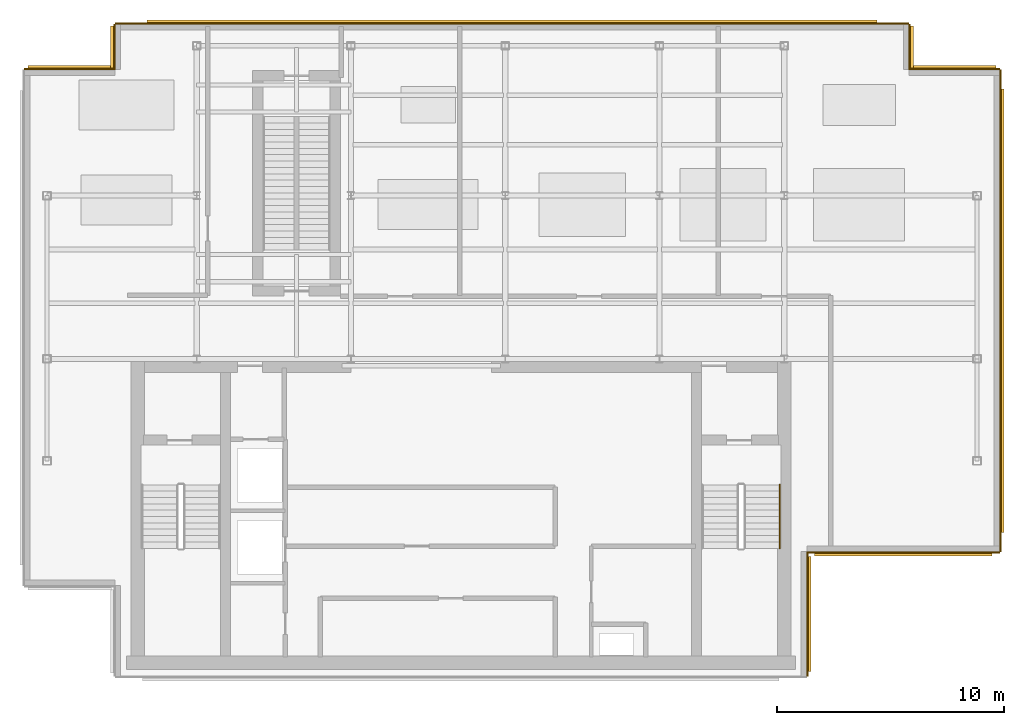
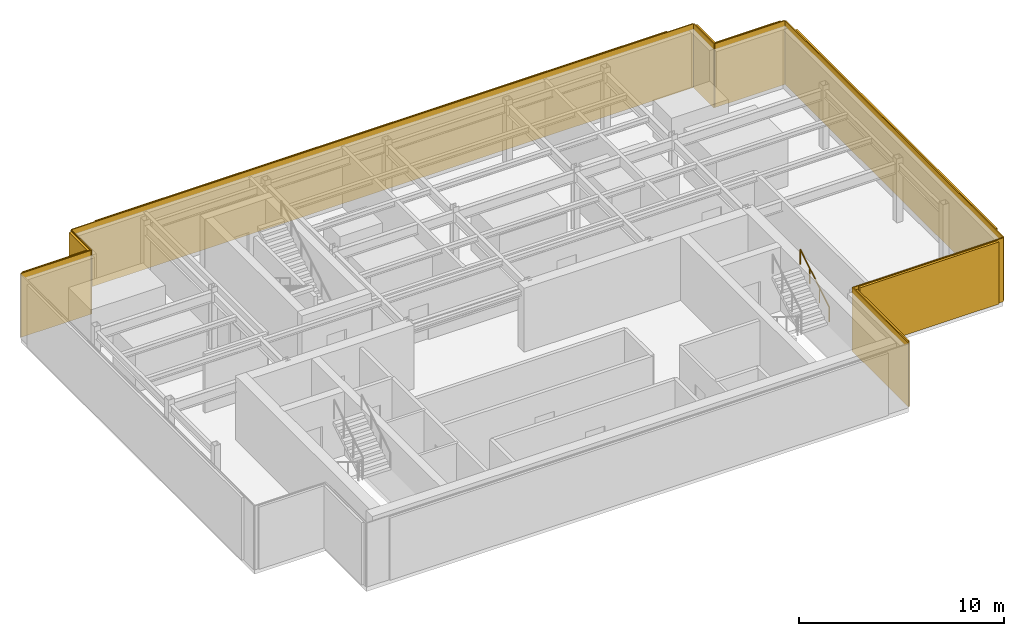
# One storey, part 6 of 7: 8 coverings, 8 shading devices, 1 railing.
"""IFC4 building model written with IfcOpenShell, lengths in metres."""

from ifc_helpers import new_model, si_unit, derived_unit, direction, frame, origin, origin_2d, place, context, subcontext, project, spatial, rectangle, circle, extrude, source, transform, mapped, material, layer, layer_set, type_object, element, save


model = new_model("IFC4")

# Units and contexts
model_context = context("Model", 3, precision=1e-05, world=origin(), true_north=direction((0.0, 1.0)))
body_context = subcontext(model_context, "Body", "Model", "MODEL_VIEW")
ifc_project = project(units=[si_unit("LENGTHUNIT", "METRE"), si_unit("AREAUNIT", "SQUARE_METRE"), si_unit("VOLUMEUNIT", "CUBIC_METRE"), si_unit("PLANEANGLEUNIT", "RADIAN"), si_unit("MASSUNIT", "GRAM", prefix="KILO"), derived_unit("THERMALTRANSMITTANCEUNIT", [(si_unit("POWERUNIT", "WATT"), 1), (si_unit("LENGTHUNIT", "METRE"), -2), (si_unit("THERMODYNAMICTEMPERATUREUNIT", "KELVIN"), -1)])], contexts=[model_context])

# Site, building, storey
site_placement = place(None, origin())
site = spatial("IfcSite", under=ifc_project, at=site_placement, CompositionType="ELEMENT")
building_placement = place(site_placement, origin())
building = spatial("IfcBuilding", under=site, at=building_placement, Name="Skarnbrae Concourse Arena and Tower", CompositionType="ELEMENT")
storey_placement = place(building_placement, frame((0.0, 0.0, 303.64990234375)))
storey = spatial("IfcBuildingStorey", under=building, at=storey_placement, Name="L79", CompositionType="ELEMENT", Elevation=303.64990234375)

# Railing
ifc_material_1 = material(Name="Steel CSA G40.21 350W", Category="steel")
railing_type = type_object("IfcRailingType", Name="RAIL-HANDRAIL-900", PredefinedType="HANDRAIL", material=ifc_material_1)
railing_placement = place(storey_placement, frame((33.300048828125, 5.64990234375, 2.07275390625)))
element("IfcRailing", 1, at=railing_placement, inside=storey, type_object=railing_type, Name="L79 ST-2 stair handrail 2", PredefinedType="HANDRAIL", context=body_context, shape_type="SweptSolid", body=[
    extrude(circle(Radius=0.02392578125, at=origin_2d()), frame((0.0, 0.0, 0.8759765625), z_axis=(0.0, 0.851089632645, 0.525020415988), x_axis=(-1.0, 0.0, 0.0)), (0.0, 0.0, 1.0), 3.2900390625),
    extrude(circle(Radius=0.02099609375, at=origin_2d()), origin(), (0.0, 0.0, 1.0), 0.851806640625),
    extrude(circle(Radius=0.02099609375, at=origin_2d()), frame((0.0, 0.933349609375, 0.57568359375)), (0.0, 0.0, 1.0), 0.851806640625),
    extrude(circle(Radius=0.02099609375, at=origin_2d()), frame((0.0, 1.86669921875, 1.151611328125)), (0.0, 0.0, 1.0), 0.851806640625),
    extrude(circle(Radius=0.02099609375, at=origin_2d()), frame((0.0, 2.800048828125, 1.727294921875)), (0.0, 0.0, 1.0), 0.851806640625),
])

# Covering
ifc_material_2 = material(Name="Bronze anodised aluminium 6063-T6", Category="aluminium")
ifc_layer = layer(ifc_material_2, 0.06005859375)
ifc_layer_set = layer_set([ifc_layer], Name="Bronze anodised aluminium 6063-T6")
covering_type = type_object("IfcCoveringType", Name="COV-CLAD-BRONZE-60", PredefinedType="CLADDING", material=ifc_layer_set)
shared_shape_1 = source(origin(), body_context, "Body", "SweptSolid", [
    extrude(rectangle(XDim=5.5, YDim=0.06005859375, at=origin_2d()), origin(), (0.0, 0.0, 1.0), 3.800048828125),
])
covering_1_placement = place(storey_placement, frame((34.530029296875, 2.75, 0.0), z_axis=(0.0, 0.0, 1.0), x_axis=(0.0, 1.0, 0.0)))
element("IfcCovering", 2, at=covering_1_placement, inside=storey, type_object=covering_type, Name="L79 Bronze crown rainscreen cladding 02", PredefinedType="CLADDING", context=body_context, shape_type="MappedRepresentation", body=[
    mapped(shared_shape_1, transform((0.0, 0.0, 0.0))),
])

# Shading device
shading_device_type = type_object("IfcShadingDeviceType", Name="SHD-BRONZE-LOUVRE-150", PredefinedType="USERDEFINED", material=ifc_material_2)
shared_shape_2 = source(origin(), body_context, "Body", "SweptSolid", [
    extrude(rectangle(XDim=5.06005859375, YDim=0.139892578125, at=origin_2d()), origin(), (0.0, 0.0, 1.0), 3.699951171875),
])
shading_device_1_placement = place(storey_placement, frame((34.6201171875, 2.75, 0.05029296875), z_axis=(0.0, 0.0, 1.0), x_axis=(0.0, 1.0, 0.0)))
element("IfcShadingDevice", 3, at=shading_device_1_placement, inside=storey, type_object=shading_device_type, Name="L79 Crown bronze architectural louvre screen 02", ObjectType="LOUVRE", PredefinedType="USERDEFINED", context=body_context, shape_type="MappedRepresentation", body=[
    mapped(shared_shape_2, transform((0.0, 0.0, 0.0))),
])

# Covering
shared_shape_3 = source(origin(), body_context, "Body", "SweptSolid", [
    extrude(rectangle(XDim=8.5, YDim=0.06005859375, at=origin_2d()), origin(), (0.0, 0.0, 1.0), 3.800048828125),
])
covering_2_placement = place(storey_placement, frame((38.75, 5.469970703125, 0.0), z_axis=(0.0, 0.0, 1.0), x_axis=(1.0, 0.0, 0.0)))
element("IfcCovering", 4, at=covering_2_placement, inside=storey, type_object=covering_type, Name="L79 Bronze crown rainscreen cladding 03", PredefinedType="CLADDING", context=body_context, shape_type="MappedRepresentation", body=[
    mapped(shared_shape_3, transform((0.0, 0.0, 0.0))),
])

# Shading device
shared_shape_4 = source(origin(), body_context, "Body", "SweptSolid", [
    extrude(rectangle(XDim=7.820068359375, YDim=0.139892578125, at=origin_2d()), origin(), (0.0, 0.0, 1.0), 3.699951171875),
])
shading_device_2_placement = place(storey_placement, frame((38.75, 5.3798828125, 0.05029296875), z_axis=(0.0, 0.0, 1.0), x_axis=(1.0, 0.0, 0.0)))
element("IfcShadingDevice", 5, at=shading_device_2_placement, inside=storey, type_object=shading_device_type, Name="L79 Crown bronze architectural louvre screen 03", ObjectType="LOUVRE", PredefinedType="USERDEFINED", context=body_context, shape_type="MappedRepresentation", body=[
    mapped(shared_shape_4, transform((0.0, 0.0, 0.0))),
])

# Covering
shared_shape_5 = source(origin(), body_context, "Body", "SweptSolid", [
    extrude(rectangle(XDim=21.25, YDim=0.06005859375, at=origin_2d()), origin(), (0.0, 0.0, 1.0), 3.800048828125),
])
covering_3_placement = place(storey_placement, frame((43.030029296875, 16.125, 0.0), z_axis=(0.0, 0.0, 1.0), x_axis=(0.0, 1.0, 0.0)))
element("IfcCovering", 6, at=covering_3_placement, inside=storey, type_object=covering_type, Name="L79 Bronze crown rainscreen cladding 04", PredefinedType="CLADDING", context=body_context, shape_type="MappedRepresentation", body=[
    mapped(shared_shape_5, transform((0.0, 0.0, 0.0))),
])

# Shading device
shared_shape_6 = source(origin(), body_context, "Body", "SweptSolid", [
    extrude(rectangle(XDim=19.550048828125, YDim=0.139892578125, at=origin_2d()), origin(), (0.0, 0.0, 1.0), 3.699951171875),
])
shading_device_3_placement = place(storey_placement, frame((43.1201171875, 16.125, 0.05029296875), z_axis=(0.0, 0.0, 1.0), x_axis=(0.0, 1.0, 0.0)))
element("IfcShadingDevice", 7, at=shading_device_3_placement, inside=storey, type_object=shading_device_type, Name="L79 Crown bronze architectural louvre screen 04", ObjectType="LOUVRE", PredefinedType="USERDEFINED", context=body_context, shape_type="MappedRepresentation", body=[
    mapped(shared_shape_6, transform((0.0, 0.0, 0.0))),
])

# Coverings
shared_shape_7 = source(origin(), body_context, "Body", "SweptSolid", [
    extrude(rectangle(XDim=4.0, YDim=0.06005859375, at=origin_2d()), origin(), (0.0, 0.0, 1.0), 3.800048828125),
])
for number, where, z_axis, x_axis, name in (
    (8, (41.0, 26.780029296875, 0.0), (0.0, 0.0, 1.0), (-1.0, 0.0, 0.0), "L79 Bronze crown rainscreen cladding 05"),
    (9, (2.0, 26.780029296875, 0.0), (0.0, 0.0, 1.0), (-1.0, 0.0, 0.0), "L79 Bronze crown rainscreen cladding 09"),
):
    element("IfcCovering", number, at=place(storey_placement, frame(where, z_axis=z_axis, x_axis=x_axis)), inside=storey, type_object=covering_type, Name=name, PredefinedType="CLADDING", context=body_context, shape_type="MappedRepresentation", body=[
        mapped(shared_shape_7, transform((0.0, 0.0, 0.0))),
    ])

# Shading devices
shared_shape_8 = source(origin(), body_context, "Body", "SweptSolid", [
    extrude(rectangle(XDim=3.679931640625, YDim=0.139892578125, at=origin_2d()), origin(), (0.0, 0.0, 1.0), 3.699951171875),
])
for number, where, z_axis, x_axis, name in (
    (10, (41.0, 26.8701171875, 0.05029296875), (0.0, 0.0, 1.0), (-1.0, 0.0, 0.0), "L79 Crown bronze architectural louvre screen 05"),
    (11, (2.0, 26.8701171875, 0.05029296875), (0.0, 0.0, 1.0), (-1.0, 0.0, 0.0), "L79 Crown bronze architectural louvre screen 09"),
):
    element("IfcShadingDevice", number, at=place(storey_placement, frame(where, z_axis=z_axis, x_axis=x_axis)), inside=storey, type_object=shading_device_type, Name=name, ObjectType="LOUVRE", PredefinedType="USERDEFINED", context=body_context, shape_type="MappedRepresentation", body=[
        mapped(shared_shape_8, transform((0.0, 0.0, 0.0))),
    ])

# Coverings
shared_shape_9 = source(origin(), body_context, "Body", "SweptSolid", [
    extrude(rectangle(XDim=2.0, YDim=0.06005859375, at=origin_2d()), origin(), (0.0, 0.0, 1.0), 3.800048828125),
])
for number, where, z_axis, x_axis, name in (
    (12, (39.030029296875, 27.75, 0.0), (0.0, 0.0, 1.0), (0.0, 1.0, 0.0), "L79 Bronze crown rainscreen cladding 06"),
    (13, (3.969970703125, 27.75, 0.0), (0.0, 0.0, 1.0), (0.0, -1.0, 0.0), "L79 Bronze crown rainscreen cladding 08"),
):
    element("IfcCovering", number, at=place(storey_placement, frame(where, z_axis=z_axis, x_axis=x_axis)), inside=storey, type_object=covering_type, Name=name, PredefinedType="CLADDING", context=body_context, shape_type="MappedRepresentation", body=[
        mapped(shared_shape_9, transform((0.0, 0.0, 0.0))),
    ])

# Shading devices
shared_shape_10 = source(origin(), body_context, "Body", "SweptSolid", [
    extrude(rectangle(XDim=1.840087890625, YDim=0.139892578125, at=origin_2d()), origin(), (0.0, 0.0, 1.0), 3.699951171875),
])
for number, where, z_axis, x_axis, name in (
    (14, (39.1201171875, 27.75, 0.05029296875), (0.0, 0.0, 1.0), (0.0, 1.0, 0.0), "L79 Crown bronze architectural louvre screen 06"),
    (15, (3.8798828125, 27.75, 0.05029296875), (0.0, 0.0, 1.0), (0.0, -1.0, 0.0), "L79 Crown bronze architectural louvre screen 08"),
):
    element("IfcShadingDevice", number, at=place(storey_placement, frame(where, z_axis=z_axis, x_axis=x_axis)), inside=storey, type_object=shading_device_type, Name=name, ObjectType="LOUVRE", PredefinedType="USERDEFINED", context=body_context, shape_type="MappedRepresentation", body=[
        mapped(shared_shape_10, transform((0.0, 0.0, 0.0))),
    ])

# Covering
shared_shape_11 = source(origin(), body_context, "Body", "SweptSolid", [
    extrude(rectangle(XDim=35.0, YDim=0.06005859375, at=origin_2d()), origin(), (0.0, 0.0, 1.0), 3.800048828125),
])
covering_4_placement = place(storey_placement, frame((21.5, 28.780029296875, 0.0), z_axis=(0.0, 0.0, 1.0), x_axis=(-1.0, 0.0, 0.0)))
element("IfcCovering", 16, at=covering_4_placement, inside=storey, type_object=covering_type, Name="L79 Bronze crown rainscreen cladding 07", PredefinedType="CLADDING", context=body_context, shape_type="MappedRepresentation", body=[
    mapped(shared_shape_11, transform((0.0, 0.0, 0.0))),
])

# Shading device
shared_shape_12 = source(origin(), body_context, "Body", "SweptSolid", [
    extrude(rectangle(XDim=32.199951171875, YDim=0.139892578125, at=origin_2d()), origin(), (0.0, 0.0, 1.0), 3.699951171875),
])
shading_device_4_placement = place(storey_placement, frame((21.5, 28.8701171875, 0.05029296875), z_axis=(0.0, 0.0, 1.0), x_axis=(-1.0, 0.0, 0.0)))
element("IfcShadingDevice", 17, at=shading_device_4_placement, inside=storey, type_object=shading_device_type, Name="L79 Crown bronze architectural louvre screen 07", ObjectType="LOUVRE", PredefinedType="USERDEFINED", context=body_context, shape_type="MappedRepresentation", body=[
    mapped(shared_shape_12, transform((0.0, 0.0, 0.0))),
])

save(model, "model.ifc")
